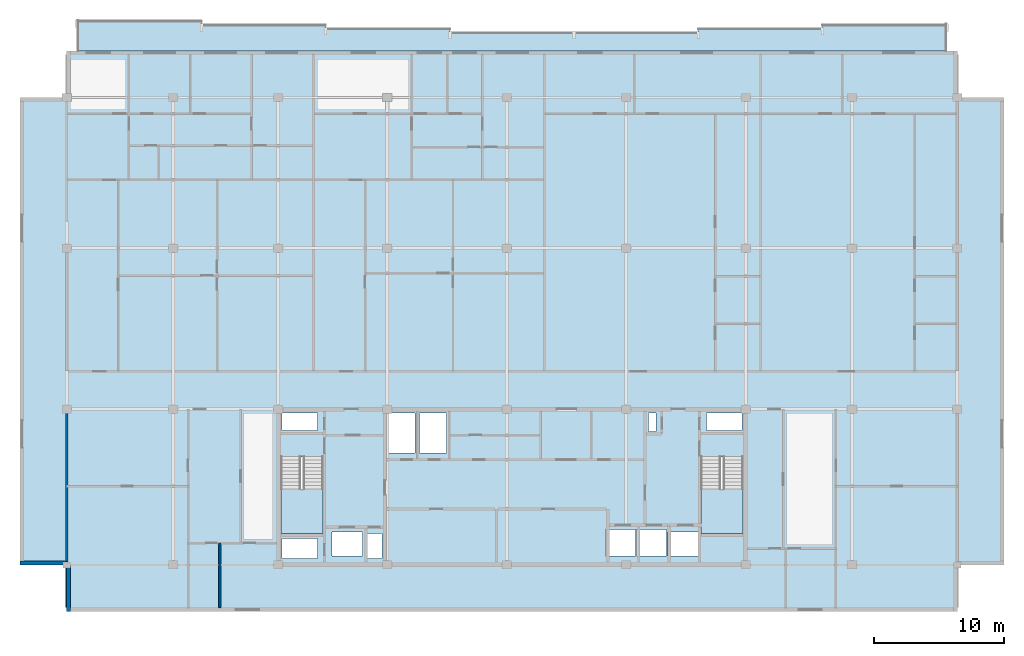
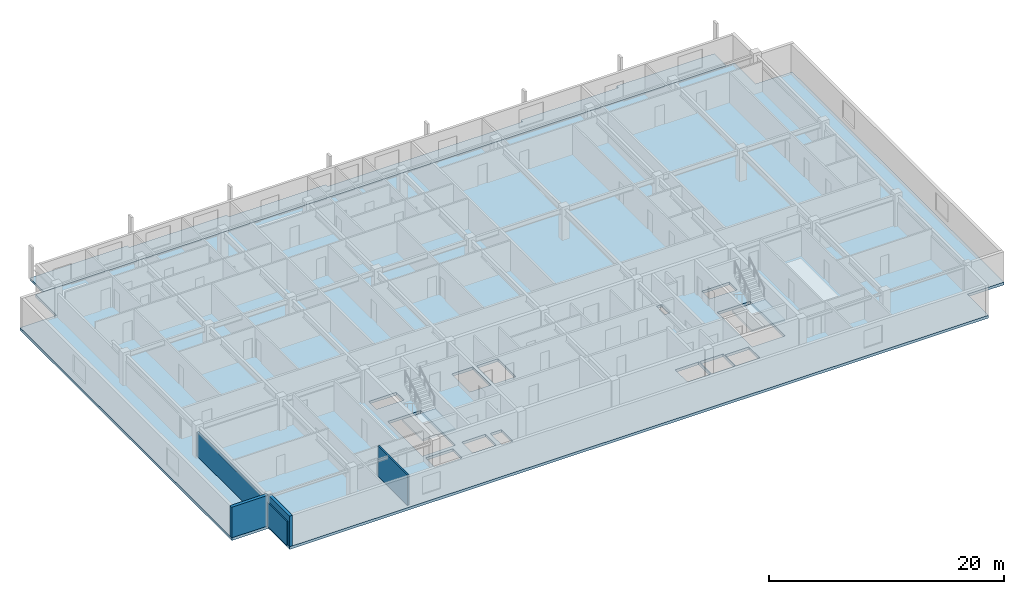
# One storey, part 2 of 11: 4 slabs, 4 walls, 2 elements without a shape of their own.
"""IFC4 building model written with IfcOpenShell, lengths in metres."""

import ifcopenshell
import ifcopenshell.guid

model = None  # the IFC model being written
_history = None  # IfcOwnerHistory: only IFC2X3 demands one
_inside = {}  # id of a spatial element -> (the spatial element, [elements in it])
_under = {}  # id of a project, library or spatial element -> (it, [spatial elements below it])
_declared = {}  # id of a project -> (the project, [libraries it declares])
_typed = {}  # id of a type object -> (the type object, [elements of that type])
_made_of = {}  # id of a material, layer set ... -> (it, [elements and type objects made of it])


def new_model(schema):
    """Start an empty IFC model of exactly this schema.

    Asked for "IFC4X3", IfcOpenShell would pick the latest addendum, in which some entities
    have other attributes; the version numbers below select the first issue.
    IFC2X3 requires an IfcOwnerHistory on every rooted entity: one is made here for all.
    """
    global model, _history
    if schema == "IFC4X3":
        model = ifcopenshell.file(schema_version=(4, 3, 0, 0))
    else:
        model = ifcopenshell.file(schema=schema)
    _inside.clear()
    _under.clear()
    _declared.clear()
    _typed.clear()
    _made_of.clear()
    _history = None
    if model.schema == "IFC2X3":
        org = make("IfcOrganization", Name="unknown")
        user = make(
            "IfcPersonAndOrganization",
            ThePerson=make("IfcPerson", FamilyName="unknown"),
            TheOrganization=org,
        )
        app = make(
            "IfcApplication",
            ApplicationDeveloper=org,
            Version="unknown",
            ApplicationFullName="unknown",
            ApplicationIdentifier="unknown",
        )
        _history = make(
            "IfcOwnerHistory",
            OwningUser=user,
            OwningApplication=app,
            ChangeAction="ADDED",
            CreationDate=0,
        )
    return model


def make(cls, **values):
    """One entity of the class cls with the attributes given. An attribute that is None is left unset."""
    return model.create_entity(
        cls, **{name: value for name, value in values.items() if value is not None}
    )


def rooted(cls, **values):
    """An entity with a GlobalId (a new one), such as an element, a storey or a relation."""
    return make(cls, GlobalId=ifcopenshell.guid.new(), OwnerHistory=_history, **values)


def si_unit(unit_type, name, prefix=None):
    """IfcSIUnit, for example si_unit("LENGTHUNIT", "METRE", prefix="MILLI")."""
    return make("IfcSIUnit", UnitType=unit_type, Prefix=prefix, Name=name)


def assignment(units):
    """IfcUnitAssignment: the units of a project."""
    return None if units is None else make("IfcUnitAssignment", Units=units)


def point(xyz):
    """IfcCartesianPoint."""
    return None if xyz is None else make("IfcCartesianPoint", Coordinates=xyz)


def direction(xyz):
    """IfcDirection."""
    return None if xyz is None else make("IfcDirection", DirectionRatios=xyz)


def frame(location, z_axis=None, x_axis=None):
    """IfcAxis2Placement3D, a coordinate frame: its origin and axes. An axis left out is left unset."""
    return make(
        "IfcAxis2Placement3D",
        Location=point(location),
        Axis=direction(z_axis),
        RefDirection=direction(x_axis),
    )


def frame_2d(location, x_axis=None):
    """IfcAxis2Placement2D, a coordinate frame in the plane: its origin and x axis."""
    return make(
        "IfcAxis2Placement2D", Location=point(location), RefDirection=direction(x_axis)
    )


def origin():
    """The frame at (0, 0, 0) with its axes left unset."""
    return frame((0.0, 0.0, 0.0))


def place(relative_to, where):
    """IfcLocalPlacement: puts the frame where relative to a parent placement (None: the world)."""
    return make(
        "IfcLocalPlacement", PlacementRelTo=relative_to, RelativePlacement=where
    )


def context(
    kind, dimensions, precision=None, world=None, true_north=None, identifier=None
):
    """IfcGeometricRepresentationContext, for example the 3D "Model" context."""
    return make(
        "IfcGeometricRepresentationContext",
        ContextIdentifier=identifier,
        ContextType=kind,
        CoordinateSpaceDimension=dimensions,
        Precision=precision,
        WorldCoordinateSystem=world,
        TrueNorth=true_north,
    )


def subcontext(parent, identifier, kind, view, scale=None):
    """IfcGeometricRepresentationSubContext, for example "Body" below "Model"."""
    return make(
        "IfcGeometricRepresentationSubContext",
        ContextIdentifier=identifier,
        ContextType=kind,
        ParentContext=parent,
        TargetScale=scale,
        TargetView=view,
    )


def project(units=None, contexts=None):
    """IfcProject with its units and contexts."""
    return rooted(
        "IfcProject",
        Name="project",
        RepresentationContexts=contexts,
        UnitsInContext=assignment(units),
    )


def spatial(cls, under=None, at=None, **own):
    """A site, building, storey or space (cls), placed at a placement, below another one or the project."""
    s = rooted(cls, ObjectPlacement=at, **own)
    if under is not None:
        _under.setdefault(under.id(), (under, []))[1].append(s)
    return s


def polyline(points):
    """IfcPolyline through the points."""
    return make("IfcPolyline", Points=[point(p) for p in points])


def profile(cls, at=None, kind="AREA", **sizes):
    """A parametric profile (cls). Its sizes go by their IFC names, for example OverallWidth=200.0."""
    return make(cls, ProfileType=kind, Position=at, **sizes)


def rectangle(**sizes):
    """IfcRectangleProfileDef."""
    return profile("IfcRectangleProfileDef", **sizes)


def outline(outer, holes=None, kind="AREA"):
    """IfcArbitraryClosedProfileDef: a profile drawn as a closed curve; with holes, ...WithVoids."""
    if holes is None:
        return make("IfcArbitraryClosedProfileDef", ProfileType=kind, OuterCurve=outer)
    return make(
        "IfcArbitraryProfileDefWithVoids",
        ProfileType=kind,
        OuterCurve=outer,
        InnerCurves=holes,
    )


def extrude(swept, where, along, depth):
    """IfcExtrudedAreaSolid: the profile swept, set in the frame where, extruded along a direction by depth."""
    return make(
        "IfcExtrudedAreaSolid",
        SweptArea=swept,
        Position=where,
        ExtrudedDirection=direction(along),
        Depth=depth,
    )


def shape(context_of_items, identifier, shape_type, items):
    """IfcShapeRepresentation: the items that make up one representation, for example the "Body"."""
    return make(
        "IfcShapeRepresentation",
        ContextOfItems=context_of_items,
        RepresentationIdentifier=identifier,
        RepresentationType=shape_type,
        Items=items,
    )


def material(Name=None, Category=None):
    """IfcMaterial."""
    return make("IfcMaterial", Name=Name, Category=Category)


def layer(
    of_material, thickness, ventilated=None, Name=None, Category=None, Priority=None
):
    """IfcMaterialLayer: one layer of a wall or slab, of a material (None: an air gap)."""
    return make(
        "IfcMaterialLayer",
        Material=of_material,
        LayerThickness=thickness,
        IsVentilated=ventilated,
        Name=Name,
        Category=Category,
        Priority=Priority,
    )


def layer_set(layers, Name=None):
    """IfcMaterialLayerSet."""
    return make("IfcMaterialLayerSet", MaterialLayers=layers, LayerSetName=Name)


def made_of(thing, what):
    """Note that an element or type object is made of a material, layer set ...; save() writes the relation."""
    if what is not None:
        _made_of.setdefault(what.id(), (what, []))[1].append(thing)
    return thing


def type_object(cls, material=None, **own):
    """A type object (cls), such as IfcWallType, which elements share."""
    return made_of(rooted(cls, **own), material)


def element(
    cls,
    number,
    at=None,
    inside=None,
    cuts=None,
    type_object=None,
    material=None,
    context=None,
    identifier="Body",
    shape_type=None,
    held_by="IfcProductDefinitionShape",
    body=None,
    shapes=None,
    **own,
):
    """One element of the class cls, such as IfcWall. Its Tag is "e" and its number.

    at: its placement. inside: the storey or other place that contains it. cuts: it is an
    opening in that element (IfcRelVoidsElement). A single representation is given by context,
    identifier, shape_type and body (its items); several are given by shapes. held_by: the class
    of the entity that holds the representations. save() writes the other relations.
    """
    e = rooted(cls, Tag="e%d" % number, ObjectPlacement=at, **own)
    if body is not None:
        shapes = [shape(context, identifier, shape_type, body)]
    if shapes is not None:
        e.Representation = make(held_by, Representations=shapes)
    if inside is not None:
        _inside.setdefault(inside.id(), (inside, []))[1].append(e)
    if cuts is not None:
        rooted(
            "IfcRelVoidsElement", RelatingBuildingElement=cuts, RelatedOpeningElement=e
        )
    if type_object is not None:
        _typed.setdefault(type_object.id(), (type_object, []))[1].append(e)
    return made_of(e, material)


def aggregate(whole, parts):
    """IfcRelAggregates: a whole, such as a stair, and the parts it consists of."""
    return rooted("IfcRelAggregates", RelatingObject=whole, RelatedObjects=parts)


def save(model, path):
    """Write the relations noted so far, then the file.

    IfcRelAggregates (storeys below a building ...), IfcRelContainedInSpatialStructure (elements
    in a storey), IfcRelDefinesByType, IfcRelAssociatesMaterial and IfcRelDeclares: one each for
    every whole, place, type object, material and project.
    """
    for whole, parts in _under.values():
        aggregate(whole, parts)
    for where, things in _inside.values():
        rooted(
            "IfcRelContainedInSpatialStructure",
            RelatedElements=things,
            RelatingStructure=where,
        )
    for kind, things in _typed.values():
        rooted("IfcRelDefinesByType", RelatedObjects=things, RelatingType=kind)
    for what, things in _made_of.values():
        rooted("IfcRelAssociatesMaterial", RelatedObjects=things, RelatingMaterial=what)
    for by, libraries in _declared.values():
        rooted("IfcRelDeclares", RelatingContext=by, RelatedDefinitions=libraries)
    model.write(path)


model = new_model("IFC4")

# Units and contexts
model_context = context("Model", 3, precision=1e-05, world=origin(), true_north=direction((0.0, 1.0)))
body_context = subcontext(model_context, "Body", "Model", "MODEL_VIEW")
ifc_project = project(units=[si_unit("LENGTHUNIT", "METRE"), si_unit("AREAUNIT", "SQUARE_METRE"), si_unit("VOLUMEUNIT", "CUBIC_METRE"), si_unit("PLANEANGLEUNIT", "RADIAN"), si_unit("MASSUNIT", "GRAM", prefix="KILO")], contexts=[model_context])

# Site, building, storey
site_placement = place(None, origin())
site = spatial("IfcSite", under=ifc_project, at=site_placement, CompositionType="ELEMENT")
building_placement = place(site_placement, origin())
building = spatial("IfcBuilding", under=site, at=building_placement, Name="Korimba Cascade Residences", CompositionType="ELEMENT")
storey_placement = place(building_placement, frame((0.0, 0.0, 256.25)))
storey = spatial("IfcBuildingStorey", under=building, at=storey_placement, Name="L74", CompositionType="ELEMENT", Elevation=256.25)

# Stair, slab
ifc_material_1 = material(Name="Concrete C50/60", Category="concrete")
stair_type_1 = type_object("IfcStairType", Name="STR-W1-20R-1725", PredefinedType="HALF_TURN_STAIR", material=ifc_material_1)
stair_1_placement = place(storey_placement, origin())
stair_1 = element("IfcStair", 1, at=stair_1_placement, inside=storey, type_object=stair_type_1, Name="L74 Tower 1 West Fire Stair ST-W1", PredefinedType="HALF_TURN_STAIR")
ifc_layer_1 = layer(ifc_material_1, 0.199951171875)
ifc_layer_set_1 = layer_set([ifc_layer_1], Name="Concrete C50/60")
slab_type_1 = type_object("IfcSlabType", Name="SLB-LND-220", PredefinedType="LANDING", material=ifc_layer_set_1)
slab_1_placement = place(storey_placement, frame((0.0, 0.0, 1.52490234375)))
slab_1 = element("IfcSlab", 2, at=slab_1_placement, type_object=slab_type_1, Name="ST-W1 landing 1", PredefinedType="LANDING", context=body_context, shape_type="SweptSolid", body=[
    extrude(outline(polyline([(76.300048828125, 61.030029296875), (76.300048828125, 57.60009765625), (79.5400390625, 57.60009765625), (79.5400390625, 61.030029296875), (76.300048828125, 61.030029296875)])), origin(), (0.0, 0.0, 1.0), 0.2001953125),
])
aggregate(stair_1, [slab_1])

stair_type_2 = type_object("IfcStairType", Name="STR-W2-20R-1725", PredefinedType="HALF_TURN_STAIR", material=ifc_material_1)
stair_2_placement = place(storey_placement, origin())
stair_2 = element("IfcStair", 3, at=stair_2_placement, inside=storey, type_object=stair_type_2, Name="L74 Tower 1 East Fire Stair ST-W2", PredefinedType="HALF_TURN_STAIR")
slab_2_placement = place(storey_placement, frame((0.0, 0.0, 1.52490234375)))
slab_2 = element("IfcSlab", 4, at=slab_2_placement, type_object=slab_type_1, Name="ST-W2 landing 1", PredefinedType="LANDING", context=body_context, shape_type="SweptSolid", body=[
    extrude(outline(polyline([(108.659912109375, 61.030029296875), (108.659912109375, 57.60009765625), (111.89990234375, 57.60009765625), (111.89990234375, 61.030029296875), (108.659912109375, 61.030029296875)])), origin(), (0.0, 0.0, 1.0), 0.2001953125),
])
aggregate(stair_2, [slab_2])

# Slabs
ifc_material_2 = material(Name="Precast concrete C40/50", Category="concrete")
ifc_layer_2 = layer(ifc_material_2, 0.239990234375)
ifc_layer_set_2 = layer_set([ifc_layer_2], Name="Precast concrete C40/50")
slab_type_2 = type_object("IfcSlabType", Name="SLB-LOG-240", PredefinedType="FLOOR", material=ifc_layer_set_2)
slab_3_placement = place(storey_placement, frame((0.0, 0.0, -0.239990234375)))
element("IfcSlab", 5, at=slab_3_placement, inside=storey, type_object=slab_type_2, Name="L74 Tower 1 North Loggia Slab", PredefinedType="FLOOR", context=body_context, shape_type="SweptSolid", body=[
    extrude(outline(polyline([(60.60009765625, 94.800048828125), (127.60009765625, 94.800048828125), (127.60009765625, 96.85009765625), (118.028564453125, 96.85009765625), (118.028564453125, 96.550048828125), (108.45703125, 96.550048828125), (108.45703125, 96.25), (89.314208984375, 96.25), (89.314208984375, 96.550048828125), (79.742919921875, 96.550048828125), (79.742919921875, 96.85009765625), (70.17138671875, 96.85009765625), (70.17138671875, 97.14990234375), (60.60009765625, 97.14990234375), (60.60009765625, 94.800048828125)])), origin(), (0.0, 0.0, 1.0), 0.239990234375),
])
ifc_layer_3 = layer(ifc_material_1, 0.280029296875)
ifc_layer_set_3 = layer_set([ifc_layer_3], Name="Concrete C50/60")
slab_type_3 = type_object("IfcSlabType", Name="SLB-TYP-280", PredefinedType="FLOOR", material=ifc_layer_set_3)
slab_4_placement = place(storey_placement, frame((0.0, 0.0, -0.280029296875)))
element("IfcSlab", 6, at=slab_4_placement, inside=storey, type_object=slab_type_3, Name="L74 Tower 1 Floor Slab", PredefinedType="FLOOR", context=body_context, shape_type="SweptSolid", body=[
    extrude(outline(polyline([(59.800048828125, 51.60009765625), (128.39990234375, 51.60009765625), (128.39990234375, 55.199951171875), (132.0, 55.199951171875), (132.0, 91.199951171875), (128.39990234375, 91.199951171875), (128.39990234375, 94.800048828125), (59.800048828125, 94.800048828125), (59.800048828125, 91.199951171875), (56.199951171875, 91.199951171875), (56.199951171875, 55.199951171875), (59.800048828125, 55.199951171875), (59.800048828125, 51.60009765625)]), holes=[polyline([(76.300048828125, 63.514892578125), (76.300048828125, 57.60009765625), (79.5400390625, 57.60009765625), (79.5400390625, 63.514892578125), (76.300048828125, 63.514892578125)]), polyline([(108.659912109375, 63.514892578125), (108.659912109375, 57.60009765625), (111.89990234375, 57.60009765625), (111.89990234375, 63.514892578125), (108.659912109375, 63.514892578125)]), polyline([(80.22998046875, 55.8798828125), (82.570068359375, 55.8798828125), (82.570068359375, 57.719970703125), (80.22998046875, 57.719970703125), (80.22998046875, 55.8798828125)]), polyline([(106.080078125, 55.8798828125), (108.419921875, 55.8798828125), (108.419921875, 57.719970703125), (106.080078125, 57.719970703125), (106.080078125, 55.8798828125)]), polyline([(101.304931640625, 55.8798828125), (103.594970703125, 55.8798828125), (103.594970703125, 57.919921875), (101.304931640625, 57.919921875), (101.304931640625, 55.8798828125)]), polyline([(103.705078125, 55.8798828125), (105.9951171875, 55.8798828125), (105.9951171875, 57.919921875), (103.705078125, 57.919921875), (103.705078125, 55.8798828125)]), polyline([(82.97998046875, 55.679931640625), (84.080078125, 55.679931640625), (84.080078125, 57.6201171875), (82.97998046875, 57.6201171875), (82.97998046875, 55.679931640625)]), polyline([(76.39990234375, 65.56005859375), (79.10009765625, 65.56005859375), (79.10009765625, 66.8798828125), (76.39990234375, 66.8798828125), (76.39990234375, 65.56005859375)]), polyline([(76.39990234375, 55.679931640625), (79.10009765625, 55.679931640625), (79.10009765625, 57.239990234375), (76.39990234375, 57.239990234375), (76.39990234375, 55.679931640625)]), polyline([(84.530029296875, 63.820068359375), (86.6201171875, 63.820068359375), (86.6201171875, 66.8798828125), (84.530029296875, 66.8798828125), (84.530029296875, 63.820068359375)]), polyline([(86.97998046875, 63.820068359375), (89.070068359375, 63.820068359375), (89.070068359375, 66.8798828125), (86.97998046875, 66.8798828125), (86.97998046875, 63.820068359375)]), polyline([(104.6201171875, 65.4599609375), (105.179931640625, 65.4599609375), (105.179931640625, 66.8798828125), (104.6201171875, 66.8798828125), (104.6201171875, 65.4599609375)]), polyline([(109.080078125, 65.56005859375), (111.800048828125, 65.56005859375), (111.800048828125, 66.8798828125), (109.080078125, 66.8798828125), (109.080078125, 65.56005859375)])]), origin(), (0.0, 0.0, 1.0), 0.280029296875),
])

# Walls
ifc_layer_4 = layer(ifc_material_2, 0.300048828125)
ifc_layer_set_4 = layer_set([ifc_layer_4], Name="Precast concrete C40/50")
wall_type_1 = type_object("IfcWallType", Name="EW-STONE-300", PredefinedType="STANDARD", material=ifc_layer_set_4)
wall_1_placement = place(storey_placement, frame((56.199951171875, 55.35009765625, 0.0), z_axis=(0.0, 0.0, 1.0), x_axis=(1.0, 0.0, 0.0)))
element("IfcWall", 7, at=wall_1_placement, inside=storey, type_object=wall_type_1, Name="L74 T1 Perimeter Stone Wall E10", PredefinedType="STANDARD", context=body_context, shape_type="SweptSolid", body=[
    extrude(rectangle(XDim=3.60009765625, YDim=0.300048828125, at=frame_2d((1.800048828125, 0.0))), origin(), (0.0, 0.0, 1.0), 3.169921875),
])
wall_2_placement = place(storey_placement, frame((59.949951171875, 55.199951171875, 0.0), z_axis=(0.0, 0.0, 1.0), x_axis=(0.0, -1.0, 0.0)))
element("IfcWall", 8, at=wall_2_placement, inside=storey, type_object=wall_type_1, Name="L74 T1 Perimeter Stone Wall E11", PredefinedType="STANDARD", context=body_context, shape_type="SweptSolid", body=[
    extrude(rectangle(XDim=3.599853515625, YDim=0.300048828125, at=frame_2d((1.7998046875, 0.0))), origin(), (0.0, 0.0, 1.0), 3.169921875),
])
ifc_layer_5 = layer(ifc_material_2, 0.199951171875)
ifc_layer_set_5 = layer_set([ifc_layer_5], Name="Precast concrete C40/50")
wall_type_2 = type_object("IfcWallType", Name="WAL-IT-200", PredefinedType="PARTITIONING", material=ifc_layer_set_5)
wall_3_placement = place(storey_placement, frame((59.800048828125, 51.89990234375, 0.0), z_axis=(0.0, 0.0, 1.0), x_axis=(0.0, 1.0, 0.0)))
element("IfcWall", 9, at=wall_3_placement, inside=storey, type_object=wall_type_2, Name="L74 Partition Wall WAL-L74-T1-FW-WL", PredefinedType="PARTITIONING", context=body_context, shape_type="SweptSolid", body=[
    extrude(rectangle(XDim=15.300048828125, YDim=0.199951171875, at=frame_2d((7.64990234375, 0.0))), origin(), (0.0, 0.0, 1.0), 2.47705078125),
])
ifc_material_3 = material(Name="Insulated Acoustic Stud Partition", Category="gypsum")
ifc_layer_6 = layer(ifc_material_3, 0.14990234375)
ifc_layer_set_6 = layer_set([ifc_layer_6], Name="Insulated Acoustic Stud Partition")
wall_type_3 = type_object("IfcWallType", Name="WAL-PART-150", PredefinedType="PARTITIONING", material=ifc_layer_set_6)
wall_4_placement = place(storey_placement, frame((71.60009765625, 51.89990234375, 0.0), z_axis=(0.0, 0.0, 1.0), x_axis=(0.0, 1.0, 0.0)))
element("IfcWall", 10, at=wall_4_placement, inside=storey, type_object=wall_type_3, Name="L74 Partition Wall WAL-L74-T1-FW-VS", PredefinedType="PARTITIONING", context=body_context, shape_type="SweptSolid", body=[
    extrude(rectangle(XDim=4.97021484375, YDim=0.14990234375, at=frame_2d((2.485107421875, 0.0))), origin(), (0.0, 0.0, 1.0), 3.169921875),
])

save(model, "model.ifc")
